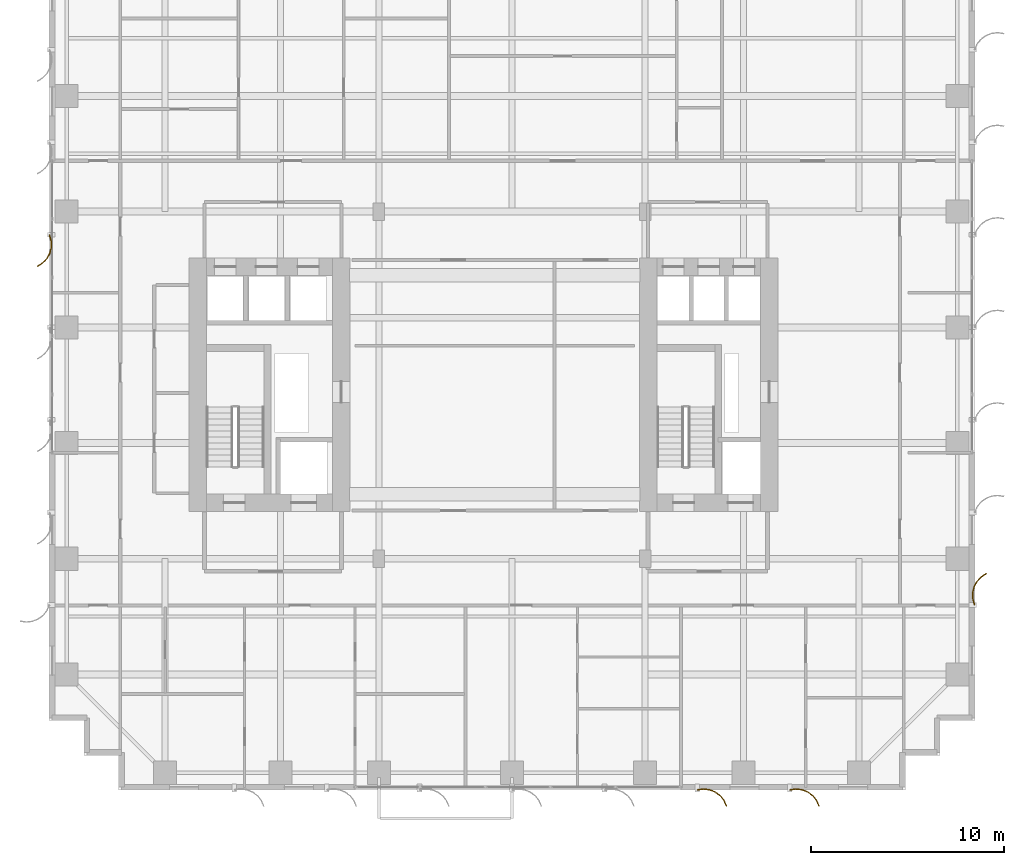
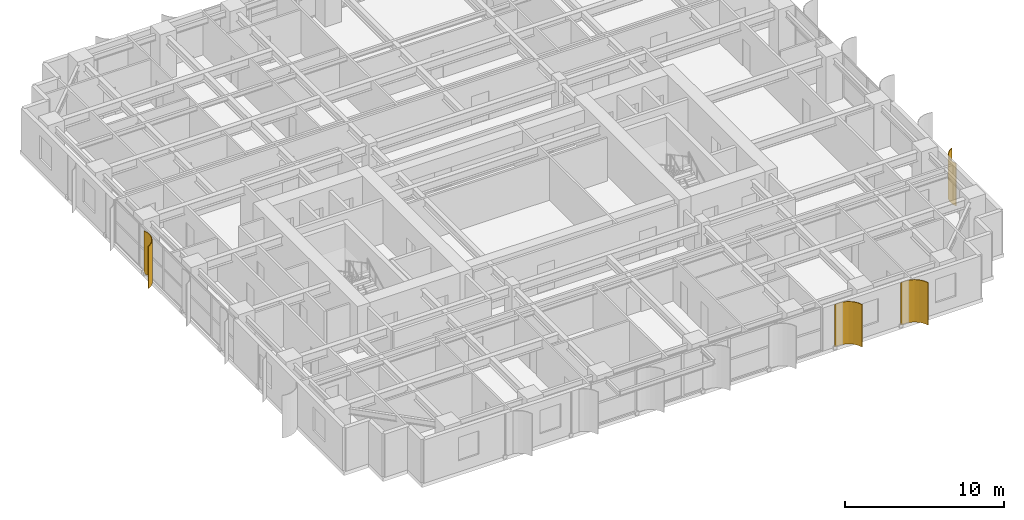
# One storey, part 23 of 25: 4 shading devices.
"""IFC4 building model written with IfcOpenShell, lengths in metres."""

from ifc_helpers import new_model, si_unit, direction, frame, origin, place, context, subcontext, project, spatial, polyline, outline, extrude, source, transform, mapped, material, layer, layer_set, type_object, element, save


model = new_model("IFC4")

# Units and contexts
model_context = context("Model", 3, precision=1e-05, world=origin(), true_north=direction((0.0, 1.0)))
body_context = subcontext(model_context, "Body", "Model", "MODEL_VIEW")
ifc_project = project(units=[si_unit("LENGTHUNIT", "METRE"), si_unit("AREAUNIT", "SQUARE_METRE"), si_unit("VOLUMEUNIT", "CUBIC_METRE"), si_unit("PLANEANGLEUNIT", "RADIAN"), si_unit("MASSUNIT", "GRAM", prefix="KILO")], contexts=[model_context])

# Site, building, storey
site_placement = place(None, origin())
site = spatial("IfcSite", under=ifc_project, at=site_placement, CompositionType="ELEMENT")
building_placement = place(site_placement, origin())
building = spatial("IfcBuilding", under=site, at=building_placement, Name="Khoralis Quay Care Tower", CompositionType="ELEMENT")
storey_placement = place(building_placement, frame((0.0, 0.0, 65.699951171875)))
storey = spatial("IfcBuildingStorey", under=building, at=storey_placement, Name="L17", CompositionType="ELEMENT", Elevation=65.699951171875)

# Shading devices
ifc_material = material(Name="Brushed pale anodised aluminium", Category="aluminium")
ifc_layer = layer(ifc_material, 0.044921875)
ifc_layer_set = layer_set([ifc_layer], Name="Brushed pale anodised aluminium")
shading_device_type = type_object("IfcShadingDeviceType", Name="SHD-FIN-1250", PredefinedType="USERDEFINED", material=ifc_layer_set)
shared_shape_1 = source(origin(), body_context, "Body", "SweptSolid", [
    extrude(outline(polyline([(0.0, 0.0), (-0.04833984375, 0.32275390625), (-0.01123046875, 0.64697265625), (0.1083984375, 0.950439453125), (0.302490234375, 1.212890625), (0.557861328125, 1.416015625), (0.85693359375, 1.546142578125), (0.869384765625, 1.5029296875), (0.5810546875, 1.37744140625), (0.334716796875, 1.181640625), (0.147705078125, 0.9287109375), (0.032470703125, 0.635986328125), (-0.003173828125, 0.323486328125), (0.043212890625, 0.012451171875), (0.0, 0.0)])), origin(), (0.0, 0.0, 1.0), 3.260009765625),
])
for number, where, z_axis, x_axis, name in (
    (1, (33.60009765625, 0.030029296875, 0.02001953125), (0.0, 0.0, 1.0), (0.0, -1.0, 0.0), "L17 Curved Solar Fin P1E0-06"),
    (2, (38.39990234375, 0.030029296875, 0.02001953125), (0.0, 0.0, 1.0), (0.0, -1.0, 0.0), "L17 Curved Solar Fin P1E0-07"),
):
    element("IfcShadingDevice", number, at=place(storey_placement, frame(where, z_axis=z_axis, x_axis=x_axis)), inside=storey, type_object=shading_device_type, Name=name, ObjectType="FIN", PredefinedType="USERDEFINED", context=body_context, shape_type="MappedRepresentation", body=[
        mapped(shared_shape_1, transform((0.0, 0.0, 0.0), scale=1.0)),
    ])
shared_shape_2 = source(origin(), body_context, "Body", "SweptSolid", [
    extrude(outline(polyline([(0.0, 0.0), (-0.0927734375, 0.31298828125), (-0.101318359375, 0.63916015625), (-0.025146484375, 0.956298828125), (0.130615234375, 1.2431640625), (0.355224609375, 1.479736328125), (0.633544921875, 1.650390625), (0.65185546875, 1.609130859375), (0.383544921875, 1.44482421875), (0.1669921875, 1.216796875), (0.01708984375, 0.940185546875), (-0.056396484375, 0.63427734375), (-0.04833984375, 0.31982421875), (0.041015625, 0.018310546875), (0.0, 0.0)])), origin(), (0.0, 0.0, 1.0), 3.260009765625),
])
for number, where, z_axis, x_axis, name in (
    (3, (47.969970703125, 9.60009765625, 0.02001953125), (0.0, 0.0, 1.0), (1.0, 0.0, 0.0), "L17 Curved Solar Fin P1E5-01"),
    (4, (0.030029296875, 28.800048828125, 0.02001953125), (0.0, 0.0, 1.0), (-1.0, 0.0, 0.0), "L17 Curved Solar Fin P1E15-03"),
):
    element("IfcShadingDevice", number, at=place(storey_placement, frame(where, z_axis=z_axis, x_axis=x_axis)), inside=storey, type_object=shading_device_type, Name=name, ObjectType="FIN", PredefinedType="USERDEFINED", context=body_context, shape_type="MappedRepresentation", body=[
        mapped(shared_shape_2, transform((0.0, 0.0, 0.0), scale=1.0)),
    ])

save(model, "model.ifc")
